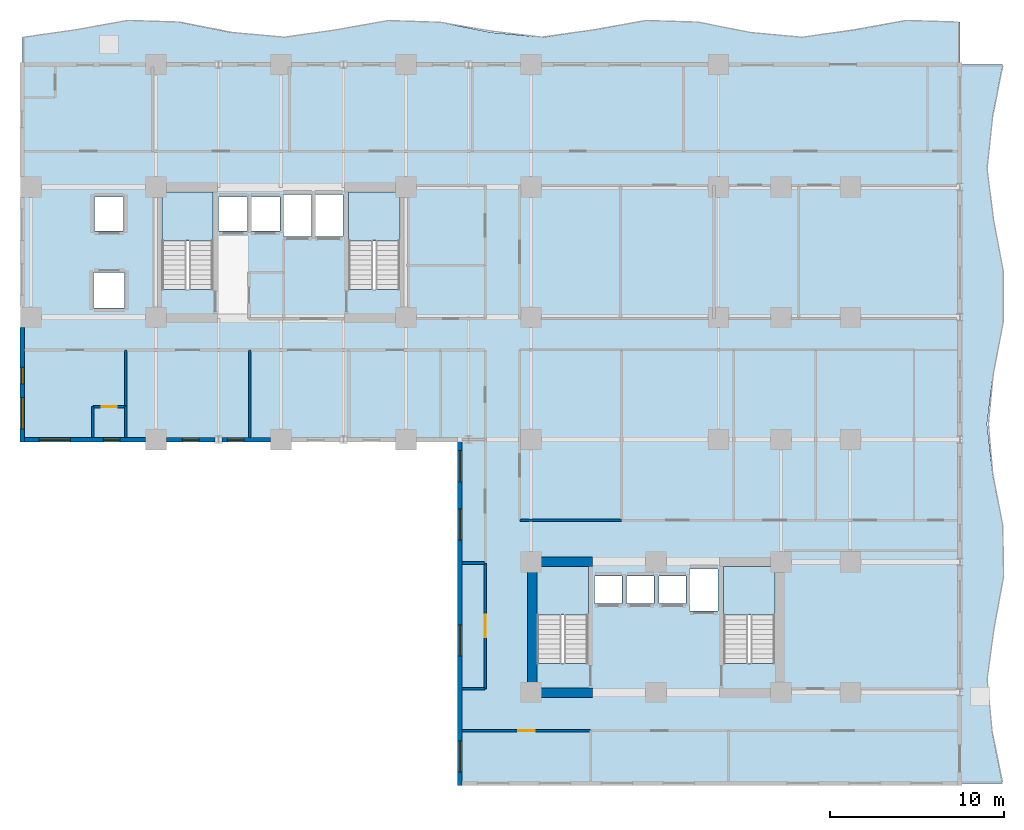
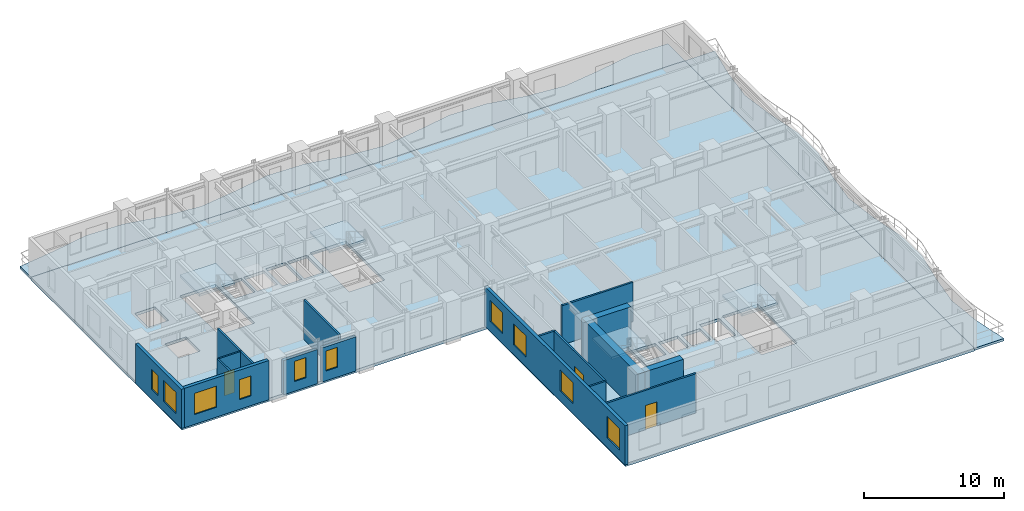
# One storey, part 2 of 11: 18 walls, 10 windows, 7 slabs, 3 doors, 13 openings, 4 elements without a shape of their own.
"""IFC4 building model written with IfcOpenShell, lengths in metres."""

from ifc_helpers import new_model, si_unit, direction, frame, frame_2d, origin, place, context, subcontext, project, spatial, polyline, rectangle, outline, extrude, material, layer, layer_set, type_object, element, fill, aggregate, save


model = new_model("IFC4")

# Units and contexts
model_context = context("Model", 3, precision=1e-05, world=origin(), true_north=direction((0.0, 1.0)))
body_context = subcontext(model_context, "Body", "Model", "MODEL_VIEW")
ifc_project = project(units=[si_unit("LENGTHUNIT", "METRE"), si_unit("AREAUNIT", "SQUARE_METRE"), si_unit("VOLUMEUNIT", "CUBIC_METRE"), si_unit("PLANEANGLEUNIT", "RADIAN"), si_unit("MASSUNIT", "GRAM", prefix="KILO")], contexts=[model_context])

# Site, building, storey
site_placement = place(None, origin())
site = spatial("IfcSite", under=ifc_project, at=site_placement, CompositionType="ELEMENT")
building_placement = place(site_placement, origin())
building = spatial("IfcBuilding", under=site, at=building_placement, Name="Kaliganga Portal Commons", CompositionType="ELEMENT")
storey_placement = place(building_placement, frame((0.0, 0.0, 100.800048828125)))
storey = spatial("IfcBuildingStorey", under=building, at=storey_placement, Name="L25", CompositionType="ELEMENT", Elevation=100.800048828125)

# Slabs
ifc_material_1 = material(Name="Concrete C40/50", Category="concrete")
ifc_layer_1 = layer(ifc_material_1, 0.2099609375)
ifc_layer_set_1 = layer_set([ifc_layer_1], Name="Concrete C40/50")
slab_type_1 = type_object("IfcSlabType", Name="SLB-BALC-210", PredefinedType="FLOOR", material=ifc_layer_set_1)
slab_1_placement = place(storey_placement, frame((0.0, 0.0, -0.2099609375)))
element("IfcSlab", 1, at=slab_1_placement, inside=storey, type_object=slab_type_1, Name="Scalloped Tree-Planter Balcony Slab L25 balc_north", PredefinedType="FLOOR", context=body_context, shape_type="SweptSolid", body=[
    extrude(outline(polyline([(60.699951171875, 43.199951171875), (60.699951171875, 45.6484375), (57.699951171875, 45.74365234375), (54.699951171875, 45.201416015625), (51.699951171875, 44.77099609375), (48.699951171875, 45.04736328125), (45.699951171875, 45.6484375), (42.699951171875, 45.74365234375), (39.699951171875, 45.201416015625), (36.699951171875, 44.77099609375), (33.699951171875, 45.04736328125), (30.699951171875, 45.6484375), (27.699951171875, 45.74365234375), (24.699951171875, 45.201416015625), (21.699951171875, 44.77099609375), (18.699951171875, 45.04736328125), (15.699951171875, 45.6484375), (12.699951171875, 45.74365234375), (9.699951171875, 45.201416015625), (6.699951171875, 44.77099609375), (6.699951171875, 43.199951171875), (60.699951171875, 43.199951171875)])), origin(), (0.0, 0.0, 1.0), 0.2099609375),
])
slab_2_placement = place(storey_placement, frame((0.0, 0.0, -0.2099609375)))
element("IfcSlab", 2, at=slab_2_placement, inside=storey, type_object=slab_type_1, Name="Scalloped Tree-Planter Balcony Slab L25 balc_east", PredefinedType="FLOOR", context=body_context, shape_type="SweptSolid", body=[
    extrude(outline(polyline([(60.699951171875, 1.800048828125), (63.1484375, 1.800048828125), (62.5556640625, 4.757080078125), (62.2685546875, 7.71435546875), (62.674072265625, 10.67138671875), (63.2255859375, 13.628662109375), (63.1796875, 16.585693359375), (62.598388671875, 19.54296875), (62.264892578125, 22.5), (62.62890625, 25.45703125), (63.19970703125, 28.414306640625), (63.2080078125, 31.371337890625), (62.642333984375, 34.32861328125), (62.265625, 37.28564453125), (62.585205078125, 40.242919921875), (63.170654296875, 43.199951171875), (60.699951171875, 43.199951171875), (60.699951171875, 1.800048828125)])), origin(), (0.0, 0.0, 1.0), 0.2099609375),
])

# Stair, slab
stair_type = type_object("IfcStairType", Name="ST-CORE-DOGLEG", PredefinedType="HALF_TURN_STAIR", material=ifc_material_1)
stair_1_placement = place(storey_placement, origin())
stair_1 = element("IfcStair", 3, at=stair_1_placement, inside=storey, type_object=stair_type, Name="L25 Protected Exit Stair ST-A1", PredefinedType="HALF_TURN_STAIR")
ifc_layer_2 = layer(ifc_material_1, 0.199951171875)
ifc_layer_set_2 = layer_set([ifc_layer_2], Name="Concrete C40/50")
slab_type_2 = type_object("IfcSlabType", Name="SLB-STAIR-LND", PredefinedType="LANDING", material=ifc_layer_set_2)
slab_3_placement = place(storey_placement, frame((0.0, 0.0, 1.64990234375)))
slab_3 = element("IfcSlab", 4, at=slab_3_placement, type_object=slab_type_2, Name="ST-A1 landing 1", PredefinedType="LANDING", context=body_context, shape_type="SweptSolid", body=[
    extrude(outline(polyline([(17.699951171875, 33.050048828125), (17.699951171875, 35.85009765625), (14.75, 35.85009765625), (14.75, 33.050048828125), (17.699951171875, 33.050048828125)])), origin(), (0.0, 0.0, 1.0), 0.199951171875),
])
aggregate(stair_1, [slab_3])

stair_2_placement = place(storey_placement, origin())
stair_2 = element("IfcStair", 5, at=stair_2_placement, inside=storey, type_object=stair_type, Name="L25 Protected Exit Stair ST-A2", PredefinedType="HALF_TURN_STAIR")
slab_4_placement = place(storey_placement, frame((0.0, 0.0, 1.64990234375)))
slab_4 = element("IfcSlab", 6, at=slab_4_placement, type_object=slab_type_2, Name="ST-A2 landing 1", PredefinedType="LANDING", context=body_context, shape_type="SweptSolid", body=[
    extrude(outline(polyline([(28.449951171875, 33.050048828125), (28.449951171875, 35.85009765625), (25.5, 35.85009765625), (25.5, 33.050048828125), (28.449951171875, 33.050048828125)])), origin(), (0.0, 0.0, 1.0), 0.199951171875),
])
aggregate(stair_2, [slab_4])

stair_3_placement = place(storey_placement, origin())
stair_3 = element("IfcStair", 7, at=stair_3_placement, inside=storey, type_object=stair_type, Name="L25 Protected Exit Stair ST-B1", PredefinedType="HALF_TURN_STAIR")
slab_5_placement = place(storey_placement, frame((0.0, 0.0, 1.64990234375)))
slab_5 = element("IfcSlab", 8, at=slab_5_placement, type_object=slab_type_2, Name="ST-B1 landing 1", PredefinedType="LANDING", context=body_context, shape_type="SweptSolid", body=[
    extrude(outline(polyline([(39.300048828125, 11.5), (39.300048828125, 14.300048828125), (36.35009765625, 14.300048828125), (36.35009765625, 11.5), (39.300048828125, 11.5)])), origin(), (0.0, 0.0, 1.0), 0.199951171875),
])
aggregate(stair_3, [slab_5])

stair_4_placement = place(storey_placement, origin())
stair_4 = element("IfcStair", 9, at=stair_4_placement, inside=storey, type_object=stair_type, Name="L25 Protected Exit Stair ST-B2", PredefinedType="HALF_TURN_STAIR")
slab_6_placement = place(storey_placement, frame((0.0, 0.0, 1.64990234375)))
slab_6 = element("IfcSlab", 10, at=slab_6_placement, type_object=slab_type_2, Name="ST-B2 landing 1", PredefinedType="LANDING", context=body_context, shape_type="SweptSolid", body=[
    extrude(outline(polyline([(50.050048828125, 11.5), (50.050048828125, 14.300048828125), (47.10009765625, 14.300048828125), (47.10009765625, 11.5), (50.050048828125, 11.5)])), origin(), (0.0, 0.0, 1.0), 0.199951171875),
])
aggregate(stair_4, [slab_6])

# Slab
ifc_layer_3 = layer(ifc_material_1, 0.25)
ifc_layer_set_3 = layer_set([ifc_layer_3], Name="Concrete C40/50")
slab_type_3 = type_object("IfcSlabType", Name="SLB-TWR-250", PredefinedType="FLOOR", material=ifc_layer_set_3)
slab_7_placement = place(storey_placement, frame((0.0, 0.0, -0.25)))
element("IfcSlab", 11, at=slab_7_placement, inside=storey, type_object=slab_type_3, Name="Structural Floor Slab L25", PredefinedType="FLOOR", context=body_context, shape_type="SweptSolid", body=[
    extrude(outline(polyline([(31.89990234375, 1.800048828125), (60.699951171875, 1.800048828125), (60.699951171875, 43.199951171875), (6.699951171875, 43.199951171875), (6.699951171875, 21.60009765625), (31.89990234375, 21.60009765625), (31.89990234375, 1.800048828125)]), holes=[polyline([(14.75, 30.25390625), (14.75, 35.85009765625), (17.699951171875, 35.85009765625), (17.699951171875, 30.25390625), (14.75, 30.25390625)]), polyline([(25.5, 30.25390625), (25.5, 35.85009765625), (28.449951171875, 35.85009765625), (28.449951171875, 30.25390625), (25.5, 30.25390625)]), polyline([(36.35009765625, 8.7041015625), (36.35009765625, 14.300048828125), (39.300048828125, 14.300048828125), (39.300048828125, 8.7041015625), (36.35009765625, 8.7041015625)]), polyline([(47.10009765625, 8.7041015625), (47.10009765625, 14.300048828125), (50.050048828125, 14.300048828125), (50.050048828125, 8.7041015625), (47.10009765625, 8.7041015625)]), polyline([(18.014892578125, 33.614990234375), (18.014892578125, 35.5849609375), (19.68505859375, 35.5849609375), (19.68505859375, 33.614990234375), (18.014892578125, 33.614990234375)]), polyline([(19.864990234375, 33.614990234375), (19.864990234375, 35.5849609375), (21.534912109375, 35.5849609375), (21.534912109375, 33.614990234375), (19.864990234375, 33.614990234375)]), polyline([(10.81494140625, 29.18994140625), (10.81494140625, 31.2099609375), (12.5849609375, 31.2099609375), (12.5849609375, 29.18994140625), (10.81494140625, 29.18994140625)]), polyline([(10.864990234375, 33.614990234375), (10.864990234375, 35.5849609375), (12.534912109375, 35.5849609375), (12.534912109375, 33.614990234375), (10.864990234375, 33.614990234375)]), polyline([(21.739990234375, 33.2900390625), (21.739990234375, 35.7099609375), (23.360107421875, 35.7099609375), (23.360107421875, 33.2900390625), (21.739990234375, 33.2900390625)]), polyline([(23.5400390625, 33.2900390625), (23.5400390625, 35.7099609375), (25.159912109375, 35.7099609375), (25.159912109375, 33.2900390625), (23.5400390625, 33.2900390625)]), polyline([(39.6650390625, 12.1650390625), (39.6650390625, 13.735107421875), (41.235107421875, 13.735107421875), (41.235107421875, 12.1650390625), (39.6650390625, 12.1650390625)]), polyline([(41.514892578125, 12.1650390625), (41.514892578125, 13.735107421875), (43.0849609375, 13.735107421875), (43.0849609375, 12.1650390625), (41.514892578125, 12.1650390625)]), polyline([(43.364990234375, 12.1650390625), (43.364990234375, 13.735107421875), (44.93505859375, 13.735107421875), (44.93505859375, 12.1650390625), (43.364990234375, 12.1650390625)]), polyline([(45.139892578125, 11.739990234375), (45.139892578125, 14.159912109375), (46.760009765625, 14.159912109375), (46.760009765625, 11.739990234375), (45.139892578125, 11.739990234375)])]), origin(), (0.0, 0.0, 1.0), 0.25),
])

# Walls
ifc_material_2 = material(Name="Concrete C60/75", Category="concrete")
ifc_layer_4 = layer(ifc_material_2, 0.550048828125)
ifc_layer_set_4 = layer_set([ifc_layer_4], Name="Concrete C60/75")
wall_type_1 = type_object("IfcWallType", Name="WL-CORE-550", PredefinedType="SHEAR", material=ifc_layer_set_4)
wall_1_placement = place(storey_placement, frame((36.074951171875, 6.75, 0.0), z_axis=(0.0, 0.0, 1.0), x_axis=(0.0, 1.0, 0.0)))
element("IfcWall", 12, at=wall_1_placement, inside=storey, type_object=wall_type_1, Name="Core B West Shear Wall L25", PredefinedType="SHEAR", context=body_context, shape_type="SweptSolid", body=[
    extrude(rectangle(XDim=8.10009765625, YDim=0.550048828125, at=frame_2d((4.050048828125, 0.0))), origin(), (0.0, 0.0, 1.0), 3.449951171875),
])
for number, where, z_axis, x_axis, name in (
    (13, (36.35009765625, 7.02490234375, 0.0), (0.0, 0.0, 1.0), (1.0, 0.0, 0.0), "Core B S-West Shear Wall L25"),
    (14, (36.35009765625, 14.574951171875, 0.0), (0.0, 0.0, 1.0), (1.0, 0.0, 0.0), "Core B N-West Shear Wall L25"),
):
    element("IfcWall", number, at=place(storey_placement, frame(where, z_axis=z_axis, x_axis=x_axis)), inside=storey, type_object=wall_type_1, Name=name, PredefinedType="SHEAR", context=body_context, shape_type="SweptSolid", body=[
        extrude(rectangle(XDim=3.199951171875, YDim=0.550048828125, at=frame_2d((1.60009765625, 0.0))), origin(), (0.0, 0.0, 1.0), 3.449951171875),
    ])

# Wall, openings, windows
ifc_material_3 = material(Name="Insulated Aluminium-Clad Spandrel Assembly", Category="aluminium")
ifc_layer_5 = layer(ifc_material_3, 0.260009765625)
ifc_layer_set_5 = layer_set([ifc_layer_5], Name="Insulated Aluminium-Clad Spandrel Assembly")
wall_type_2 = type_object("IfcWallType", Name="WL-EXT-SPAND-260", PredefinedType="STANDARD", material=ifc_layer_set_5)
wall_2_placement = place(storey_placement, frame((6.699951171875, 21.469970703125, 0.0), z_axis=(0.0, 0.0, 1.0), x_axis=(0.0, 1.0, 0.0)))
wall_2 = element("IfcWall", 15, at=wall_2_placement, inside=storey, type_object=wall_type_2, Name="Exterior Envelope Wall L25 P1-E03-S3", PredefinedType="STANDARD", context=body_context, shape_type="SweptSolid", body=[
    extrude(rectangle(XDim=6.5791015625, YDim=0.260009765625, at=frame_2d((3.28955078125, 0.0))), origin(), (0.0, 0.0, 1.0), 3.429931640625),
])
opening_1_placement = place(wall_2_placement, frame((0.744873046875, 0.0, 0.85009765625)))
opening_1 = element("IfcOpeningElement", 16, at=opening_1_placement, cuts=wall_2, Name="Opening W-01", PredefinedType="OPENING", context=body_context, shape_type="SweptSolid", body=[
    extrude(rectangle(XDim=1.800048828125, YDim=1.85009765625, at=frame_2d((0.89990234375, 0.925048828125))), frame((0.0, 0.14013671875, 0.0), z_axis=(0.0, -1.0, 0.0), x_axis=(1.0, 0.0, 0.0)), (0.0, 0.0, 1.0), 0.280029296875),
])
opening_2_placement = place(wall_2_placement, frame((3.3408203125, 0.0, 0.85009765625)))
opening_2 = element("IfcOpeningElement", 17, at=opening_2_placement, cuts=wall_2, Name="Opening W-04", PredefinedType="OPENING", context=body_context, shape_type="SweptSolid", body=[
    extrude(rectangle(XDim=0.949951171875, YDim=1.75, at=frame_2d((0.47509765625, 0.875))), frame((0.0, 0.14013671875, 0.0), z_axis=(0.0, -1.0, 0.0), x_axis=(1.0, 0.0, 0.0)), (0.0, 0.0, 1.0), 0.280029296875),
])
ifc_material_4 = material(Name="Thermally Broken Aluminium and Low-E Double Glazing", Category="aluminium")
window_type_1 = type_object("IfcWindowType", Name="WIN-NARROW-950", PartitioningType="SINGLE_PANEL", PredefinedType="WINDOW", material=ifc_material_4)
window_1_placement = place(opening_2_placement, origin())
window_1 = element("IfcWindow", 18, at=window_1_placement, inside=storey, type_object=window_type_1, Name="Facade Window L25-P1E03S3-N6", OverallHeight=1.75, OverallWidth=0.949951171875, PartitioningType="SINGLE_PANEL", PredefinedType="WINDOW", context=body_context, shape_type="SweptSolid", body=[
    extrude(rectangle(XDim=0.949951171875, YDim=1.75, at=frame_2d((0.47509765625, 0.875))), frame((0.0, 0.030029296875, 0.0), z_axis=(0.0, -1.0, 0.0), x_axis=(1.0, 0.0, 0.0)), (0.0, 0.0, 1.0), 0.06005859375),
])
fill(opening_2, window_1)
window_type_2 = type_object("IfcWindowType", Name="WIN-STD-1800", PartitioningType="DOUBLE_PANEL_VERTICAL", PredefinedType="WINDOW", material=ifc_material_4)
window_2_placement = place(opening_1_placement, origin())
window_2 = element("IfcWindow", 19, at=window_2_placement, inside=storey, type_object=window_type_2, Name="Facade Window L25-P1E03S3-00", OverallHeight=1.85009765625, OverallWidth=1.800048828125, PartitioningType="SINGLE_PANEL", PredefinedType="WINDOW", context=body_context, shape_type="SweptSolid", body=[
    extrude(rectangle(XDim=1.800048828125, YDim=1.85009765625, at=frame_2d((0.89990234375, 0.925048828125))), frame((0.0, 0.030029296875, 0.0), z_axis=(0.0, -1.0, 0.0), x_axis=(1.0, 0.0, 0.0)), (0.0, 0.0, 1.0), 0.06005859375),
])
fill(opening_1, window_2)

wall_3_placement = place(storey_placement, frame((13.799072265625, 21.60009765625, 0.0), z_axis=(0.0, 0.0, 1.0), x_axis=(-1.0, 0.0, 0.0)))
wall_3 = element("IfcWall", 20, at=wall_3_placement, inside=storey, type_object=wall_type_2, Name="Exterior Envelope Wall L25 P1-E04-S1", PredefinedType="STANDARD", context=body_context, shape_type="SweptSolid", body=[
    extrude(rectangle(XDim=6.964111328125, YDim=0.260009765625, at=frame_2d((3.48193359375, 0.0))), origin(), (0.0, 0.0, 1.0), 3.429931640625),
])
opening_3_placement = place(wall_3_placement, frame((4.322998046875, 0.0, 0.85009765625)))
opening_3 = element("IfcOpeningElement", 21, at=opening_3_placement, cuts=wall_3, Name="Opening W-01", PredefinedType="OPENING", context=body_context, shape_type="SweptSolid", body=[
    extrude(rectangle(XDim=1.800048828125, YDim=1.85009765625, at=frame_2d((0.89990234375, 0.925048828125))), frame((0.0, 0.14013671875, 0.0), z_axis=(0.0, -1.0, 0.0), x_axis=(1.0, 0.0, 0.0)), (0.0, 0.0, 1.0), 0.280029296875),
])
opening_4_placement = place(wall_3_placement, frame((1.474853515625, 0.0, 0.85009765625)))
opening_4 = element("IfcOpeningElement", 22, at=opening_4_placement, cuts=wall_3, Name="Opening W-04", PredefinedType="OPENING", context=body_context, shape_type="SweptSolid", body=[
    extrude(rectangle(XDim=0.949951171875, YDim=1.75, at=frame_2d((0.47509765625, 0.875))), frame((0.0, 0.14013671875, 0.0), z_axis=(0.0, -1.0, 0.0), x_axis=(1.0, 0.0, 0.0)), (0.0, 0.0, 1.0), 0.280029296875),
])
window_3_placement = place(opening_4_placement, origin())
window_3 = element("IfcWindow", 23, at=window_3_placement, inside=storey, type_object=window_type_1, Name="Facade Window L25-P1E04S1-N3", OverallHeight=1.75, OverallWidth=0.949951171875, PartitioningType="SINGLE_PANEL", PredefinedType="WINDOW", context=body_context, shape_type="SweptSolid", body=[
    extrude(rectangle(XDim=0.949951171875, YDim=1.75, at=frame_2d((0.47509765625, 0.875))), frame((0.0, 0.030029296875, 0.0), z_axis=(0.0, -1.0, 0.0), x_axis=(1.0, 0.0, 0.0)), (0.0, 0.0, 1.0), 0.06005859375),
])
fill(opening_4, window_3)
window_4_placement = place(opening_3_placement, origin())
window_4 = element("IfcWindow", 24, at=window_4_placement, inside=storey, type_object=window_type_2, Name="Facade Window L25-P1E04S1-01", OverallHeight=1.85009765625, OverallWidth=1.800048828125, PartitioningType="SINGLE_PANEL", PredefinedType="WINDOW", context=body_context, shape_type="SweptSolid", body=[
    extrude(rectangle(XDim=1.800048828125, YDim=1.85009765625, at=frame_2d((0.89990234375, 0.925048828125))), frame((0.0, 0.030029296875, 0.0), z_axis=(0.0, -1.0, 0.0), x_axis=(1.0, 0.0, 0.0)), (0.0, 0.0, 1.0), 0.06005859375),
])
fill(opening_3, window_4)

# Wall, opening, window
wall_4_placement = place(storey_placement, frame((17.79443359375, 21.60009765625, 0.0), z_axis=(0.0, 0.0, 1.0), x_axis=(-1.0, 0.0, 0.0)))
wall_4 = element("IfcWall", 25, at=wall_4_placement, inside=storey, type_object=wall_type_2, Name="Exterior Envelope Wall L25 P1-E04-S2", PredefinedType="STANDARD", context=body_context, shape_type="SweptSolid", body=[
    extrude(rectangle(XDim=2.79345703125, YDim=0.260009765625, at=frame_2d((1.396728515625, 0.0))), origin(), (0.0, 0.0, 1.0), 2.97998046875),
])
opening_5_placement = place(wall_4_placement, frame((0.921630859375, 0.0, 0.85009765625)))
opening_5 = element("IfcOpeningElement", 26, at=opening_5_placement, cuts=wall_4, Name="Opening W-04", PredefinedType="OPENING", context=body_context, shape_type="SweptSolid", body=[
    extrude(rectangle(XDim=0.949951171875, YDim=1.75, at=frame_2d((0.47509765625, 0.875))), frame((0.0, 0.14013671875, 0.0), z_axis=(0.0, -1.0, 0.0), x_axis=(1.0, 0.0, 0.0)), (0.0, 0.0, 1.0), 0.280029296875),
])
window_5_placement = place(opening_5_placement, origin())
window_5 = element("IfcWindow", 27, at=window_5_placement, inside=storey, type_object=window_type_1, Name="Facade Window L25-P1E04S2-00", OverallHeight=1.75, OverallWidth=0.949951171875, PartitioningType="SINGLE_PANEL", PredefinedType="WINDOW", context=body_context, shape_type="SweptSolid", body=[
    extrude(rectangle(XDim=0.949951171875, YDim=1.75, at=frame_2d((0.47509765625, 0.875))), frame((0.0, 0.030029296875, 0.0), z_axis=(0.0, -1.0, 0.0), x_axis=(1.0, 0.0, 0.0)), (0.0, 0.0, 1.0), 0.06005859375),
])
fill(opening_5, window_5)

wall_5_placement = place(storey_placement, frame((20.9990234375, 21.60009765625, 0.0), z_axis=(0.0, 0.0, 1.0), x_axis=(-1.0, 0.0, 0.0)))
wall_5 = element("IfcWall", 28, at=wall_5_placement, inside=storey, type_object=wall_type_2, Name="Exterior Envelope Wall L25 P1-E04-S3", PredefinedType="STANDARD", context=body_context, shape_type="SweptSolid", body=[
    extrude(rectangle(XDim=2.79345703125, YDim=0.260009765625, at=frame_2d((1.396728515625, 0.0))), origin(), (0.0, 0.0, 1.0), 2.97998046875),
])
opening_6_placement = place(wall_5_placement, frame((1.536376953125, 0.0, 0.85009765625)))
opening_6 = element("IfcOpeningElement", 29, at=opening_6_placement, cuts=wall_5, Name="Opening W-04", PredefinedType="OPENING", context=body_context, shape_type="SweptSolid", body=[
    extrude(rectangle(XDim=0.949951171875, YDim=1.75, at=frame_2d((0.47509765625, 0.875))), frame((0.0, 0.14013671875, 0.0), z_axis=(0.0, -1.0, 0.0), x_axis=(1.0, 0.0, 0.0)), (0.0, 0.0, 1.0), 0.280029296875),
])
window_6_placement = place(opening_6_placement, origin())
window_6 = element("IfcWindow", 30, at=window_6_placement, inside=storey, type_object=window_type_1, Name="Facade Window L25-P1E04S3-N4", OverallHeight=1.75, OverallWidth=0.949951171875, PartitioningType="SINGLE_PANEL", PredefinedType="WINDOW", context=body_context, shape_type="SweptSolid", body=[
    extrude(rectangle(XDim=0.949951171875, YDim=1.75, at=frame_2d((0.47509765625, 0.875))), frame((0.0, 0.030029296875, 0.0), z_axis=(0.0, -1.0, 0.0), x_axis=(1.0, 0.0, 0.0)), (0.0, 0.0, 1.0), 0.06005859375),
])
fill(opening_6, window_6)

# Wall, openings, windows
wall_6_placement = place(storey_placement, frame((31.89990234375, 1.669921875, 0.0), z_axis=(0.0, 0.0, 1.0), x_axis=(0.0, 1.0, 0.0)))
wall_6 = element("IfcWall", 31, at=wall_6_placement, inside=storey, type_object=wall_type_2, Name="Exterior Envelope Wall L25 P1-E05-S1", PredefinedType="STANDARD", context=body_context, shape_type="SweptSolid", body=[
    extrude(rectangle(XDim=20.06005859375, YDim=0.260009765625, at=frame_2d((10.030029296875, 0.0))), origin(), (0.0, 0.0, 1.0), 3.429931640625),
])
opening_7_placement = place(wall_6_placement, frame((0.771728515625, 0.0, 0.85009765625)))
opening_7 = element("IfcOpeningElement", 32, at=opening_7_placement, cuts=wall_6, Name="Opening W-01", PredefinedType="OPENING", context=body_context, shape_type="SweptSolid", body=[
    extrude(rectangle(XDim=1.800048828125, YDim=1.85009765625, at=frame_2d((0.89990234375, 0.925048828125))), frame((0.0, 0.14013671875, 0.0), z_axis=(0.0, -1.0, 0.0), x_axis=(1.0, 0.0, 0.0)), (0.0, 0.0, 1.0), 0.280029296875),
])
opening_8_placement = place(wall_6_placement, frame((7.458251953125, 0.0, 0.85009765625)))
opening_8 = element("IfcOpeningElement", 33, at=opening_8_placement, cuts=wall_6, Name="Opening W-01", PredefinedType="OPENING", context=body_context, shape_type="SweptSolid", body=[
    extrude(rectangle(XDim=1.800048828125, YDim=1.85009765625, at=frame_2d((0.89990234375, 0.925048828125))), frame((0.0, 0.14013671875, 0.0), z_axis=(0.0, -1.0, 0.0), x_axis=(1.0, 0.0, 0.0)), (0.0, 0.0, 1.0), 0.280029296875),
])
opening_9_placement = place(wall_6_placement, frame((14.14501953125, 0.0, 0.85009765625)))
opening_9 = element("IfcOpeningElement", 34, at=opening_9_placement, cuts=wall_6, Name="Opening W-01", PredefinedType="OPENING", context=body_context, shape_type="SweptSolid", body=[
    extrude(rectangle(XDim=1.800048828125, YDim=1.85009765625, at=frame_2d((0.89990234375, 0.925048828125))), frame((0.0, 0.14013671875, 0.0), z_axis=(0.0, -1.0, 0.0), x_axis=(1.0, 0.0, 0.0)), (0.0, 0.0, 1.0), 0.280029296875),
])
opening_10_placement = place(wall_6_placement, frame((17.48828125, 0.0, 0.85009765625)))
opening_10 = element("IfcOpeningElement", 35, at=opening_10_placement, cuts=wall_6, Name="Opening W-01", PredefinedType="OPENING", context=body_context, shape_type="SweptSolid", body=[
    extrude(rectangle(XDim=1.800048828125, YDim=1.85009765625, at=frame_2d((0.89990234375, 0.925048828125))), frame((0.0, 0.14013671875, 0.0), z_axis=(0.0, -1.0, 0.0), x_axis=(1.0, 0.0, 0.0)), (0.0, 0.0, 1.0), 0.280029296875),
])
window_7_placement = place(opening_7_placement, origin())
window_7 = element("IfcWindow", 36, at=window_7_placement, inside=storey, type_object=window_type_2, Name="Facade Window L25-P1E05S1-00", OverallHeight=1.85009765625, OverallWidth=1.800048828125, PartitioningType="SINGLE_PANEL", PredefinedType="WINDOW", context=body_context, shape_type="SweptSolid", body=[
    extrude(rectangle(XDim=1.800048828125, YDim=1.85009765625, at=frame_2d((0.89990234375, 0.925048828125))), frame((0.0, 0.030029296875, 0.0), z_axis=(0.0, -1.0, 0.0), x_axis=(1.0, 0.0, 0.0)), (0.0, 0.0, 1.0), 0.06005859375),
])
fill(opening_7, window_7)
window_8_placement = place(opening_8_placement, origin())
window_8 = element("IfcWindow", 37, at=window_8_placement, inside=storey, type_object=window_type_2, Name="Facade Window L25-P1E05S1-02", OverallHeight=1.85009765625, OverallWidth=1.800048828125, PartitioningType="SINGLE_PANEL", PredefinedType="WINDOW", context=body_context, shape_type="SweptSolid", body=[
    extrude(rectangle(XDim=1.800048828125, YDim=1.85009765625, at=frame_2d((0.89990234375, 0.925048828125))), frame((0.0, 0.030029296875, 0.0), z_axis=(0.0, -1.0, 0.0), x_axis=(1.0, 0.0, 0.0)), (0.0, 0.0, 1.0), 0.06005859375),
])
fill(opening_8, window_8)
window_9_placement = place(opening_9_placement, origin())
window_9 = element("IfcWindow", 38, at=window_9_placement, inside=storey, type_object=window_type_2, Name="Facade Window L25-P1E05S1-04", OverallHeight=1.85009765625, OverallWidth=1.800048828125, PartitioningType="SINGLE_PANEL", PredefinedType="WINDOW", context=body_context, shape_type="SweptSolid", body=[
    extrude(rectangle(XDim=1.800048828125, YDim=1.85009765625, at=frame_2d((0.89990234375, 0.925048828125))), frame((0.0, 0.030029296875, 0.0), z_axis=(0.0, -1.0, 0.0), x_axis=(1.0, 0.0, 0.0)), (0.0, 0.0, 1.0), 0.06005859375),
])
fill(opening_9, window_9)
window_10_placement = place(opening_10_placement, origin())
window_10 = element("IfcWindow", 39, at=window_10_placement, inside=storey, type_object=window_type_2, Name="Facade Window L25-P1E05S1-05", OverallHeight=1.85009765625, OverallWidth=1.800048828125, PartitioningType="SINGLE_PANEL", PredefinedType="WINDOW", context=body_context, shape_type="SweptSolid", body=[
    extrude(rectangle(XDim=1.800048828125, YDim=1.85009765625, at=frame_2d((0.89990234375, 0.925048828125))), frame((0.0, 0.030029296875, 0.0), z_axis=(0.0, -1.0, 0.0), x_axis=(1.0, 0.0, 0.0)), (0.0, 0.0, 1.0), 0.06005859375),
])
fill(opening_10, window_10)

# Wall, opening, door
ifc_material_5 = material(Name="Fire-Rated Gypsum Board on Steel Stud", Category="steel")
ifc_layer_6 = layer(ifc_material_5, 0.14990234375)
ifc_layer_set_6 = layer_set([ifc_layer_6], Name="Fire-Rated Gypsum Board on Steel Stud")
wall_type_3 = type_object("IfcWallType", Name="WL-PART-CORR-150", PredefinedType="PARTITIONING", material=ifc_layer_set_6)
wall_7_placement = place(storey_placement, frame((32.031982421875, 4.840087890625, 0.0), z_axis=(0.0, 0.0, 1.0), x_axis=(1.0, 0.0, 0.0)))
wall_7 = element("IfcWall", 40, at=wall_7_placement, inside=storey, type_object=wall_type_3, Name="Interior Partition L25-019", PredefinedType="PARTITIONING", context=body_context, shape_type="SweptSolid", body=[
    extrude(rectangle(XDim=7.407958984375, YDim=0.14990234375, at=frame_2d((3.7041015625, 0.0))), origin(), (0.0, 0.0, 1.0), 3.429931640625),
])
opening_11_placement = place(wall_7_placement, frame((3.22900390625, 0.0, 0.0)))
opening_11 = element("IfcOpeningElement", 41, at=opening_11_placement, cuts=wall_7, Name="Opening UD-01", PredefinedType="OPENING", context=body_context, shape_type="SweptSolid", body=[
    extrude(rectangle(XDim=0.949951171875, YDim=2.10009765625, at=frame_2d((0.47509765625, 1.050048828125))), frame((0.0, 0.0849609375, 0.0), z_axis=(0.0, -1.0, 0.0), x_axis=(1.0, 0.0, 0.0)), (0.0, 0.0, 1.0), 0.169921875),
])
ifc_material_6 = material(Name="Solid-Core Timber Acoustic Fire Door", Category="wood")
door_type_1 = type_object("IfcDoorType", Name="DR-UNIT-950", OperationType="NOTDEFINED", PredefinedType="DOOR", material=ifc_material_6)
door_1_placement = place(opening_11_placement, origin())
door_1 = element("IfcDoor", 42, at=door_1_placement, inside=storey, type_object=door_type_1, Name="Interior Door L25-BS01", OperationType="SINGLE_SWING_LEFT", OverallHeight=2.10009765625, OverallWidth=0.949951171875, PredefinedType="DOOR", context=body_context, shape_type="SweptSolid", body=[
    extrude(rectangle(XDim=0.949951171875, YDim=2.10009765625, at=frame_2d((0.47509765625, 1.050048828125))), frame((0.0, 0.02490234375, 0.0), z_axis=(0.0, -1.0, 0.0), x_axis=(1.0, 0.0, 0.0)), (0.0, 0.0, 1.0), 0.050048828125),
])
fill(opening_11, door_1)

wall_8_placement = place(storey_placement, frame((33.360107421875, 7.239990234375, 0.0), z_axis=(0.0, 0.0, 1.0), x_axis=(0.0, 1.0, 0.0)))
wall_8 = element("IfcWall", 43, at=wall_8_placement, inside=storey, type_object=wall_type_3, Name="Interior Partition L25-021", PredefinedType="PARTITIONING", context=body_context, shape_type="SweptSolid", body=[
    extrude(rectangle(XDim=7.260009765625, YDim=0.14990234375, at=frame_2d((3.6298828125, 0.0))), origin(), (0.0, 0.0, 1.0), 3.429931640625),
])
opening_12_placement = place(wall_8_placement, frame((2.97998046875, 0.0, 0.0)))
opening_12 = element("IfcOpeningElement", 44, at=opening_12_placement, cuts=wall_8, Name="Opening RD-03", PredefinedType="OPENING", context=body_context, shape_type="SweptSolid", body=[
    extrude(rectangle(XDim=1.300048828125, YDim=2.1201171875, at=frame_2d((0.64990234375, 1.06005859375))), frame((0.0, 0.0849609375, 0.0), z_axis=(0.0, -1.0, 0.0), x_axis=(1.0, 0.0, 0.0)), (0.0, 0.0, 1.0), 0.169921875),
])
ifc_material_7 = material(Name="Glazed Timber Seminar Vision Door", Category="wood")
door_type_2 = type_object("IfcDoorType", Name="DR-STUDY-1300", OperationType="DOUBLE_DOOR_SINGLE_SWING", PredefinedType="DOOR", material=ifc_material_7)
door_2_placement = place(opening_12_placement, origin())
door_2 = element("IfcDoor", 45, at=door_2_placement, inside=storey, type_object=door_type_2, Name="Interior Door L25-KW01", OperationType="DOUBLE_DOOR_SINGLE_SWING", OverallHeight=2.1201171875, OverallWidth=1.300048828125, PredefinedType="DOOR", context=body_context, shape_type="SweptSolid", body=[
    extrude(rectangle(XDim=1.300048828125, YDim=2.1201171875, at=frame_2d((0.64990234375, 1.06005859375))), frame((0.0, 0.02490234375, 0.0), z_axis=(0.0, -1.0, 0.0), x_axis=(1.0, 0.0, 0.0)), (0.0, 0.0, 1.0), 0.050048828125),
])
fill(opening_12, door_2)

# Walls
wall_9_placement = place(storey_placement, frame((35.360107421875, 16.9599609375, 0.0), z_axis=(0.0, 0.0, 1.0), x_axis=(1.0, 0.0, 0.0)))
element("IfcWall", 46, at=wall_9_placement, inside=storey, type_object=wall_type_3, Name="Interior Partition L25-026", PredefinedType="PARTITIONING", context=body_context, shape_type="SweptSolid", body=[
    extrude(rectangle(XDim=5.85986328125, YDim=0.14990234375, at=frame_2d((2.929931640625, 0.0))), origin(), (0.0, 0.0, 1.0), 3.429931640625),
])
wall_10_placement = place(storey_placement, frame((32.031982421875, 7.239990234375, 0.0), z_axis=(0.0, 0.0, 1.0), x_axis=(1.0, 0.0, 0.0)))
element("IfcWall", 47, at=wall_10_placement, inside=storey, type_object=wall_type_3, Name="Interior Partition L25-047", PredefinedType="PARTITIONING", context=body_context, shape_type="SweptSolid", body=[
    extrude(rectangle(XDim=1.328125, YDim=0.14990234375, at=frame_2d((0.6640625, 0.0))), origin(), (0.0, 0.0, 1.0), 3.429931640625),
])
ifc_material_8 = material(Name="Twin-Stud Acoustic Gypsum Partition", Category="gypsum")
ifc_layer_7 = layer(ifc_material_8, 0.1650390625)
ifc_layer_set_7 = layer_set([ifc_layer_7], Name="Twin-Stud Acoustic Gypsum Partition")
wall_type_4 = type_object("IfcWallType", Name="WL-PART-UNIT-165", PredefinedType="PARTITIONING", material=ifc_layer_set_7)
wall_11_placement = place(storey_placement, frame((19.800048828125, 21.73193359375, 0.0), z_axis=(0.0, 0.0, 1.0), x_axis=(0.0, 1.0, 0.0)))
element("IfcWall", 48, at=wall_11_placement, inside=storey, type_object=wall_type_4, Name="Interior Partition L25-062", PredefinedType="PARTITIONING", context=body_context, shape_type="SweptSolid", body=[
    extrude(rectangle(XDim=5.028076171875, YDim=0.1650390625, at=frame_2d((2.51416015625, 0.0))), origin(), (0.0, 0.0, 1.0), 3.429931640625),
])
wall_12_placement = place(storey_placement, frame((12.659912109375, 23.5, 0.0), z_axis=(0.0, 0.0, 1.0), x_axis=(0.0, 1.0, 0.0)))
element("IfcWall", 49, at=wall_12_placement, inside=storey, type_object=wall_type_4, Name="Interior Partition L25-075", PredefinedType="PARTITIONING", context=body_context, shape_type="SweptSolid", body=[
    extrude(rectangle(XDim=3.260009765625, YDim=0.1650390625, at=frame_2d((1.6298828125, 0.0))), origin(), (0.0, 0.0, 1.0), 3.429931640625),
])
wall_13_placement = place(storey_placement, frame((32.031982421875, 14.5, 0.0), z_axis=(0.0, 0.0, 1.0), x_axis=(1.0, 0.0, 0.0)))
element("IfcWall", 50, at=wall_13_placement, inside=storey, type_object=wall_type_4, Name="Interior Partition L25-080", PredefinedType="PARTITIONING", context=body_context, shape_type="SweptSolid", body=[
    extrude(rectangle(XDim=1.328125, YDim=0.1650390625, at=frame_2d((0.6640625, 0.0))), origin(), (0.0, 0.0, 1.0), 3.429931640625),
])

# Wall, opening, door
ifc_material_9 = material(Name="Cement-Board Wet-Room Partition", Category="gypsum")
ifc_layer_8 = layer(ifc_material_9, 0.135009765625)
ifc_layer_set_8 = layer_set([ifc_layer_8], Name="Cement-Board Wet-Room Partition")
wall_type_5 = type_object("IfcWallType", Name="WL-PART-WET-135", PredefinedType="PARTITIONING", material=ifc_layer_set_8)
wall_14_placement = place(storey_placement, frame((10.760009765625, 23.5, 0.0), z_axis=(0.0, 0.0, 1.0), x_axis=(1.0, 0.0, 0.0)))
wall_14 = element("IfcWall", 51, at=wall_14_placement, inside=storey, type_object=wall_type_5, Name="Interior Partition L25-002", PredefinedType="PARTITIONING", context=body_context, shape_type="SweptSolid", body=[
    extrude(rectangle(XDim=1.89990234375, YDim=0.135009765625, at=frame_2d((0.949951171875, 0.0))), origin(), (0.0, 0.0, 1.0), 3.429931640625),
])
opening_13_placement = place(wall_14_placement, frame((0.52490234375, 0.0, 0.0)))
opening_13 = element("IfcOpeningElement", 52, at=opening_13_placement, cuts=wall_14, Name="Opening WD-01", PredefinedType="OPENING", context=body_context, shape_type="SweptSolid", body=[
    extrude(rectangle(XDim=0.85009765625, YDim=2.0400390625, at=frame_2d((0.425048828125, 1.02001953125))), frame((0.0, 0.07763671875, 0.0), z_axis=(0.0, -1.0, 0.0), x_axis=(1.0, 0.0, 0.0)), (0.0, 0.0, 1.0), 0.155029296875),
])
ifc_material_10 = material(Name="Moisture-Resistant Laminate Timber Door", Category="wood")
door_type_3 = type_object("IfcDoorType", Name="DR-WET-850", OperationType="NOTDEFINED", PredefinedType="DOOR", material=ifc_material_10)
door_3_placement = place(opening_13_placement, origin())
door_3 = element("IfcDoor", 53, at=door_3_placement, inside=storey, type_object=door_type_3, Name="Interior Door L25-AS01E", OperationType="SINGLE_SWING_RIGHT", OverallHeight=2.0400390625, OverallWidth=0.85009765625, PredefinedType="DOOR", context=body_context, shape_type="SweptSolid", body=[
    extrude(rectangle(XDim=0.85009765625, YDim=2.0400390625, at=frame_2d((0.425048828125, 1.02001953125))), frame((0.0, 0.02490234375, 0.0), z_axis=(0.0, -1.0, 0.0), x_axis=(1.0, 0.0, 0.0)), (0.0, 0.0, 1.0), 0.050048828125),
])
fill(opening_13, door_3)

# Walls
for number, where, z_axis, x_axis, name in (
    (54, (10.760009765625, 21.73193359375, 0.0), (0.0, 0.0, 1.0), (0.0, 1.0, 0.0), "Interior Partition L25-004"),
    (55, (12.659912109375, 21.73193359375, 0.0), (0.0, 0.0, 1.0), (0.0, 1.0, 0.0), "Interior Partition L25-005"),
):
    element("IfcWall", number, at=place(storey_placement, frame(where, z_axis=z_axis, x_axis=x_axis)), inside=storey, type_object=wall_type_5, Name=name, PredefinedType="PARTITIONING", context=body_context, shape_type="SweptSolid", body=[
        extrude(rectangle(XDim=1.76806640625, YDim=0.135009765625, at=frame_2d((0.884033203125, 0.0))), origin(), (0.0, 0.0, 1.0), 3.429931640625),
    ])

save(model, "model.ifc")
